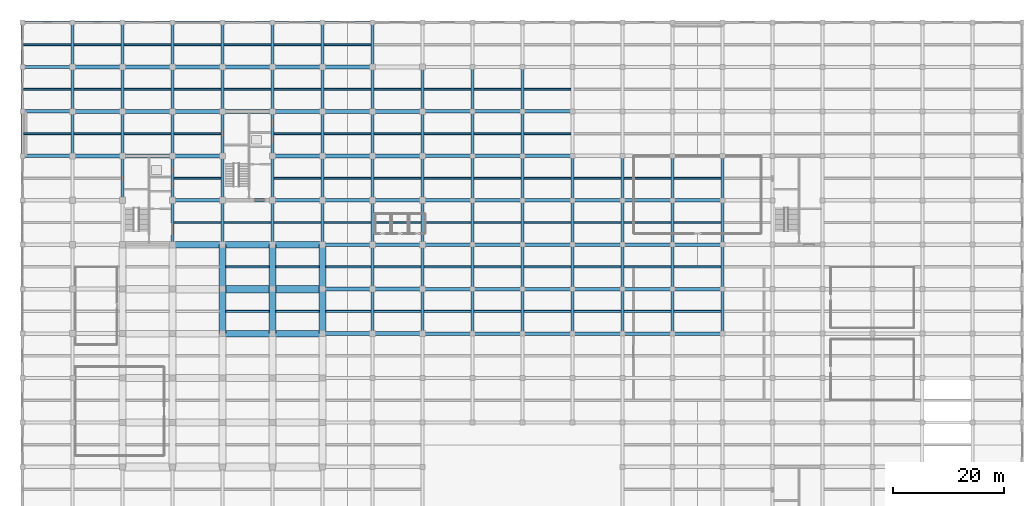
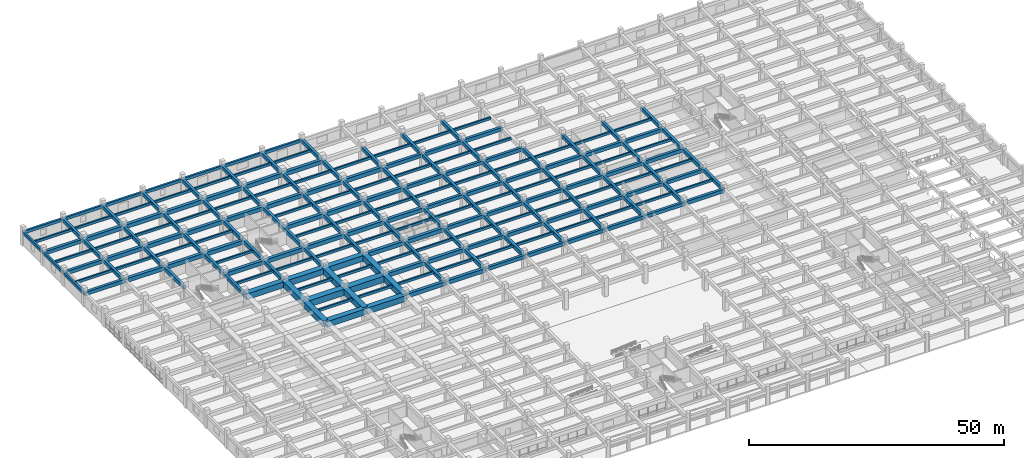
# One storey, part 12 of 40: 223 beams.
"""IFC4 building model written with IfcOpenShell, lengths in metres."""

from ifc_helpers import new_model, si_unit, direction, frame, origin, origin_2d, place, context, subcontext, project, spatial, rectangle, extrude, material, material_profile, profile_set, type_object, element, save


model = new_model("IFC4")

# Units and contexts
model_context = context("Model", 3, precision=1e-05, world=origin(), true_north=direction((0.0, 1.0)))
body_context = subcontext(model_context, "Body", "Model", "MODEL_VIEW")
ifc_project = project(units=[si_unit("LENGTHUNIT", "METRE"), si_unit("AREAUNIT", "SQUARE_METRE"), si_unit("VOLUMEUNIT", "CUBIC_METRE"), si_unit("PLANEANGLEUNIT", "RADIAN"), si_unit("MASSUNIT", "GRAM", prefix="KILO")], contexts=[model_context])

# Site, building, storey
site_placement = place(None, origin())
site = spatial("IfcSite", under=ifc_project, at=site_placement, CompositionType="ELEMENT")
building_placement = place(site_placement, origin())
building = spatial("IfcBuilding", under=site, at=building_placement, Name="Zaverband Oceanarium and Marine Research Institute", CompositionType="ELEMENT")
storey_placement = place(building_placement, origin())
storey = spatial("IfcBuildingStorey", under=building, at=storey_placement, Name="L00", CompositionType="ELEMENT", Elevation=0.0)

# Beams
ifc_material_1 = material(Name="Concrete C40/50", Category="concrete")
ifc_material_profile_1 = material_profile(ifc_material_1, rectangle(XDim=0.60009765625, YDim=0.85009765625, at=origin_2d()), Name="RC600x850")
ifc_profile_set_1 = profile_set([ifc_material_profile_1], Name="Concrete C40/50")
beam_type_1 = type_object("IfcBeamType", Name="BM-600x850", PredefinedType="BEAM", material=ifc_profile_set_1)
for number, where, z_axis, x_axis, name in (
    (1, (72.0, 64.0, 2.875), (1.0, 0.0, 0.0), (0.0, 1.0, 0.0), "Primary floor girder BM-600x850"),
    (2, (81.0, 64.0, 2.875), (1.0, 0.0, 0.0), (0.0, 1.0, 0.0), "Primary floor girder BM-600x850"),
    (3, (90.0, 64.0, 2.875), (1.0, 0.0, 0.0), (0.0, 1.0, 0.0), "Primary floor girder BM-600x850"),
    (4, (99.0, 64.0, 2.875), (1.0, 0.0, 0.0), (0.0, 1.0, 0.0), "Primary floor girder BM-600x850"),
    (5, (108.0, 64.0, 2.875), (1.0, 0.0, 0.0), (0.0, 1.0, 0.0), "Primary floor girder BM-600x850"),
    (6, (117.0, 64.0, 2.875), (1.0, 0.0, 0.0), (0.0, 1.0, 0.0), "Primary floor girder BM-600x850"),
    (7, (72.0, 72.0, 2.875), (1.0, 0.0, 0.0), (0.0, 1.0, 0.0), "Primary floor girder BM-600x850"),
    (8, (81.0, 72.0, 2.875), (1.0, 0.0, 0.0), (0.0, 1.0, 0.0), "Primary floor girder BM-600x850"),
    (9, (90.0, 72.0, 2.875), (1.0, 0.0, 0.0), (0.0, 1.0, 0.0), "Primary floor girder BM-600x850"),
    (10, (99.0, 72.0, 2.875), (1.0, 0.0, 0.0), (0.0, 1.0, 0.0), "Primary floor girder BM-600x850"),
    (11, (108.0, 72.0, 2.875), (1.0, 0.0, 0.0), (0.0, 1.0, 0.0), "Primary floor girder BM-600x850"),
    (12, (117.0, 72.0, 2.875), (1.0, 0.0, 0.0), (0.0, 1.0, 0.0), "Primary floor girder BM-600x850"),
    (13, (72.0, 80.0, 2.875), (1.0, 0.0, 0.0), (0.0, 1.0, 0.0), "Primary floor girder BM-600x850"),
    (14, (81.0, 80.0, 2.875), (1.0, 0.0, 0.0), (0.0, 1.0, 0.0), "Primary floor girder BM-600x850"),
    (15, (90.0, 80.0, 2.875), (1.0, 0.0, 0.0), (0.0, 1.0, 0.0), "Primary floor girder BM-600x850"),
    (16, (99.0, 80.0, 2.875), (1.0, 0.0, 0.0), (0.0, 1.0, 0.0), "Primary floor girder BM-600x850"),
    (17, (108.0, 80.0, 2.875), (1.0, 0.0, 0.0), (0.0, 1.0, 0.0), "Primary floor girder BM-600x850"),
    (18, (117.0, 80.0, 2.875), (1.0, 0.0, 0.0), (0.0, 1.0, 0.0), "Primary floor girder BM-600x850"),
    (19, (72.0, 88.0, 2.875), (1.0, 0.0, 0.0), (0.0, 1.0, 0.0), "Primary floor girder BM-600x850"),
    (20, (81.0, 88.0, 2.875), (1.0, 0.0, 0.0), (0.0, 1.0, 0.0), "Primary floor girder BM-600x850"),
    (21, (90.0, 88.0, 2.875), (1.0, 0.0, 0.0), (0.0, 1.0, 0.0), "Primary floor girder BM-600x850"),
    (22, (99.0, 88.0, 2.875), (1.0, 0.0, 0.0), (0.0, 1.0, 0.0), "Primary floor girder BM-600x850"),
    (23, (108.0, 88.0, 2.875), (1.0, 0.0, 0.0), (0.0, 1.0, 0.0), "Primary floor girder BM-600x850"),
    (24, (117.0, 88.0, 2.875), (1.0, 0.0, 0.0), (0.0, 1.0, 0.0), "Primary floor girder BM-600x850"),
    (25, (0.0, 96.0, 2.875), (1.0, 0.0, 0.0), (0.0, 1.0, 0.0), "Primary floor girder BM-600x850"),
    (26, (72.0, 96.0, 2.875), (1.0, 0.0, 0.0), (0.0, 1.0, 0.0), "Primary floor girder BM-600x850"),
    (27, (81.0, 96.0, 2.875), (1.0, 0.0, 0.0), (0.0, 1.0, 0.0), "Primary floor girder BM-600x850"),
    (28, (90.0, 96.0, 2.875), (1.0, 0.0, 0.0), (0.0, 1.0, 0.0), "Primary floor girder BM-600x850"),
    (29, (0.0, 104.0, 2.875), (1.0, 0.0, 0.0), (0.0, 1.0, 0.0), "Primary floor girder BM-600x850"),
    (30, (72.0, 104.0, 2.875), (1.0, 0.0, 0.0), (0.0, 1.0, 0.0), "Primary floor girder BM-600x850"),
    (31, (81.0, 104.0, 2.875), (1.0, 0.0, 0.0), (0.0, 1.0, 0.0), "Primary floor girder BM-600x850"),
    (32, (90.0, 104.0, 2.875), (1.0, 0.0, 0.0), (0.0, 1.0, 0.0), "Primary floor girder BM-600x850"),
    (33, (0.0, 112.0, 2.875), (1.0, 0.0, 0.0), (0.0, 1.0, 0.0), "Primary floor girder BM-600x850"),
):
    element("IfcBeam", number, at=place(storey_placement, frame(where, z_axis=z_axis, x_axis=x_axis)), inside=storey, type_object=beam_type_1, Name=name, PredefinedType="BEAM", context=body_context, shape_type="SweptSolid", body=[
        extrude(rectangle(XDim=0.60009765625, YDim=0.85009765625, at=origin_2d()), origin(), (0.0, 0.0, 1.0), 9.0),
    ])
for number, where, z_axis, x_axis, name in (
    (34, (9.0, 96.0, 2.875), (0.0, 1.0, 0.0), (-1.0, 0.0, 0.0), "Primary floor girder BM-600x850"),
    (35, (9.0, 104.0, 2.875), (0.0, 1.0, 0.0), (-1.0, 0.0, 0.0), "Primary floor girder BM-600x850"),
    (36, (9.0, 112.0, 2.875), (0.0, 1.0, 0.0), (-1.0, 0.0, 0.0), "Primary floor girder BM-600x850"),
    (37, (18.0, 88.0, 2.875), (0.0, 1.0, 0.0), (-1.0, 0.0, 0.0), "Primary floor girder BM-600x850"),
    (38, (18.0, 96.0, 2.875), (0.0, 1.0, 0.0), (-1.0, 0.0, 0.0), "Primary floor girder BM-600x850"),
    (39, (18.0, 104.0, 2.875), (0.0, 1.0, 0.0), (-1.0, 0.0, 0.0), "Primary floor girder BM-600x850"),
    (40, (18.0, 112.0, 2.875), (0.0, 1.0, 0.0), (-1.0, 0.0, 0.0), "Primary floor girder BM-600x850"),
    (41, (27.0, 80.0, 2.875), (0.0, 1.0, 0.0), (-1.0, 0.0, 0.0), "Primary floor girder BM-600x850"),
    (42, (27.0, 88.0, 2.875), (0.0, 1.0, 0.0), (-1.0, 0.0, 0.0), "Primary floor girder BM-600x850"),
    (43, (27.0, 96.0, 2.875), (0.0, 1.0, 0.0), (-1.0, 0.0, 0.0), "Primary floor girder BM-600x850"),
    (44, (27.0, 104.0, 2.875), (0.0, 1.0, 0.0), (-1.0, 0.0, 0.0), "Primary floor girder BM-600x850"),
    (45, (27.0, 112.0, 2.875), (0.0, 1.0, 0.0), (-1.0, 0.0, 0.0), "Primary floor girder BM-600x850"),
    (46, (36.0, 80.0, 2.875), (0.0, 1.0, 0.0), (-1.0, 0.0, 0.0), "Primary floor girder BM-600x850"),
    (47, (36.0, 88.0, 2.875), (0.0, 1.0, 0.0), (-1.0, 0.0, 0.0), "Primary floor girder BM-600x850"),
    (48, (36.0, 96.0, 2.875), (0.0, 1.0, 0.0), (-1.0, 0.0, 0.0), "Primary floor girder BM-600x850"),
    (49, (36.0, 104.0, 2.875), (0.0, 1.0, 0.0), (-1.0, 0.0, 0.0), "Primary floor girder BM-600x850"),
    (50, (36.0, 112.0, 2.875), (0.0, 1.0, 0.0), (-1.0, 0.0, 0.0), "Primary floor girder BM-600x850"),
    (51, (45.0, 80.0, 2.875), (0.0, 1.0, 0.0), (-1.0, 0.0, 0.0), "Primary floor girder BM-600x850"),
    (52, (45.0, 88.0, 2.875), (0.0, 1.0, 0.0), (-1.0, 0.0, 0.0), "Primary floor girder BM-600x850"),
    (53, (45.0, 96.0, 2.875), (0.0, 1.0, 0.0), (-1.0, 0.0, 0.0), "Primary floor girder BM-600x850"),
    (54, (45.0, 104.0, 2.875), (0.0, 1.0, 0.0), (-1.0, 0.0, 0.0), "Primary floor girder BM-600x850"),
    (55, (45.0, 112.0, 2.875), (0.0, 1.0, 0.0), (-1.0, 0.0, 0.0), "Primary floor girder BM-600x850"),
    (56, (54.0, 80.0, 2.875), (0.0, 1.0, 0.0), (-1.0, 0.0, 0.0), "Primary floor girder BM-600x850"),
    (57, (54.0, 88.0, 2.875), (0.0, 1.0, 0.0), (-1.0, 0.0, 0.0), "Primary floor girder BM-600x850"),
    (58, (54.0, 96.0, 2.875), (0.0, 1.0, 0.0), (-1.0, 0.0, 0.0), "Primary floor girder BM-600x850"),
    (59, (54.0, 104.0, 2.875), (0.0, 1.0, 0.0), (-1.0, 0.0, 0.0), "Primary floor girder BM-600x850"),
    (60, (54.0, 112.0, 2.875), (0.0, 1.0, 0.0), (-1.0, 0.0, 0.0), "Primary floor girder BM-600x850"),
    (61, (63.0, 64.0, 2.875), (0.0, 1.0, 0.0), (-1.0, 0.0, 0.0), "Primary floor girder BM-600x850"),
    (62, (63.0, 72.0, 2.875), (0.0, 1.0, 0.0), (-1.0, 0.0, 0.0), "Primary floor girder BM-600x850"),
    (63, (63.0, 80.0, 2.875), (0.0, 1.0, 0.0), (-1.0, 0.0, 0.0), "Primary floor girder BM-600x850"),
    (64, (63.0, 88.0, 2.875), (0.0, 1.0, 0.0), (-1.0, 0.0, 0.0), "Primary floor girder BM-600x850"),
    (65, (63.0, 96.0, 2.875), (0.0, 1.0, 0.0), (-1.0, 0.0, 0.0), "Primary floor girder BM-600x850"),
    (66, (63.0, 104.0, 2.875), (0.0, 1.0, 0.0), (-1.0, 0.0, 0.0), "Primary floor girder BM-600x850"),
    (67, (63.0, 112.0, 2.875), (0.0, 1.0, 0.0), (-1.0, 0.0, 0.0), "Primary floor girder BM-600x850"),
    (68, (72.0, 64.0, 2.875), (0.0, 1.0, 0.0), (-1.0, 0.0, 0.0), "Primary floor girder BM-600x850"),
    (69, (72.0, 72.0, 2.875), (0.0, 1.0, 0.0), (-1.0, 0.0, 0.0), "Primary floor girder BM-600x850"),
    (70, (72.0, 80.0, 2.875), (0.0, 1.0, 0.0), (-1.0, 0.0, 0.0), "Primary floor girder BM-600x850"),
    (71, (72.0, 88.0, 2.875), (0.0, 1.0, 0.0), (-1.0, 0.0, 0.0), "Primary floor girder BM-600x850"),
    (72, (72.0, 96.0, 2.875), (0.0, 1.0, 0.0), (-1.0, 0.0, 0.0), "Primary floor girder BM-600x850"),
    (73, (72.0, 104.0, 2.875), (0.0, 1.0, 0.0), (-1.0, 0.0, 0.0), "Primary floor girder BM-600x850"),
    (74, (81.0, 64.0, 2.875), (0.0, 1.0, 0.0), (-1.0, 0.0, 0.0), "Primary floor girder BM-600x850"),
    (75, (81.0, 72.0, 2.875), (0.0, 1.0, 0.0), (-1.0, 0.0, 0.0), "Primary floor girder BM-600x850"),
    (76, (81.0, 80.0, 2.875), (0.0, 1.0, 0.0), (-1.0, 0.0, 0.0), "Primary floor girder BM-600x850"),
    (77, (81.0, 88.0, 2.875), (0.0, 1.0, 0.0), (-1.0, 0.0, 0.0), "Primary floor girder BM-600x850"),
    (78, (81.0, 96.0, 2.875), (0.0, 1.0, 0.0), (-1.0, 0.0, 0.0), "Primary floor girder BM-600x850"),
    (79, (81.0, 104.0, 2.875), (0.0, 1.0, 0.0), (-1.0, 0.0, 0.0), "Primary floor girder BM-600x850"),
    (80, (90.0, 64.0, 2.875), (0.0, 1.0, 0.0), (-1.0, 0.0, 0.0), "Primary floor girder BM-600x850"),
    (81, (90.0, 72.0, 2.875), (0.0, 1.0, 0.0), (-1.0, 0.0, 0.0), "Primary floor girder BM-600x850"),
    (82, (90.0, 80.0, 2.875), (0.0, 1.0, 0.0), (-1.0, 0.0, 0.0), "Primary floor girder BM-600x850"),
    (83, (90.0, 88.0, 2.875), (0.0, 1.0, 0.0), (-1.0, 0.0, 0.0), "Primary floor girder BM-600x850"),
    (84, (90.0, 96.0, 2.875), (0.0, 1.0, 0.0), (-1.0, 0.0, 0.0), "Primary floor girder BM-600x850"),
    (85, (90.0, 104.0, 2.875), (0.0, 1.0, 0.0), (-1.0, 0.0, 0.0), "Primary floor girder BM-600x850"),
    (86, (99.0, 64.0, 2.875), (0.0, 1.0, 0.0), (-1.0, 0.0, 0.0), "Primary floor girder BM-600x850"),
    (87, (99.0, 72.0, 2.875), (0.0, 1.0, 0.0), (-1.0, 0.0, 0.0), "Primary floor girder BM-600x850"),
    (88, (99.0, 80.0, 2.875), (0.0, 1.0, 0.0), (-1.0, 0.0, 0.0), "Primary floor girder BM-600x850"),
    (89, (99.0, 88.0, 2.875), (0.0, 1.0, 0.0), (-1.0, 0.0, 0.0), "Primary floor girder BM-600x850"),
    (90, (108.0, 64.0, 2.875), (0.0, 1.0, 0.0), (-1.0, 0.0, 0.0), "Primary floor girder BM-600x850"),
    (91, (108.0, 72.0, 2.875), (0.0, 1.0, 0.0), (-1.0, 0.0, 0.0), "Primary floor girder BM-600x850"),
    (92, (108.0, 80.0, 2.875), (0.0, 1.0, 0.0), (-1.0, 0.0, 0.0), "Primary floor girder BM-600x850"),
    (93, (108.0, 88.0, 2.875), (0.0, 1.0, 0.0), (-1.0, 0.0, 0.0), "Primary floor girder BM-600x850"),
    (94, (117.0, 64.0, 2.875), (0.0, 1.0, 0.0), (-1.0, 0.0, 0.0), "Primary floor girder BM-600x850"),
    (95, (117.0, 72.0, 2.875), (0.0, 1.0, 0.0), (-1.0, 0.0, 0.0), "Primary floor girder BM-600x850"),
    (96, (117.0, 80.0, 2.875), (0.0, 1.0, 0.0), (-1.0, 0.0, 0.0), "Primary floor girder BM-600x850"),
    (97, (117.0, 88.0, 2.875), (0.0, 1.0, 0.0), (-1.0, 0.0, 0.0), "Primary floor girder BM-600x850"),
    (98, (126.0, 64.0, 3.02490234375), (0.0, 1.0, 0.0), (-1.0, 0.0, 0.0), "Primary floor girder BM-600x850"),
    (99, (126.0, 72.0, 3.02490234375), (0.0, 1.0, 0.0), (-1.0, 0.0, 0.0), "Primary floor girder BM-600x850"),
    (100, (126.0, 80.0, 3.02490234375), (0.0, 1.0, 0.0), (-1.0, 0.0, 0.0), "Primary floor girder BM-600x850"),
    (101, (126.0, 88.0, 3.02490234375), (0.0, 1.0, 0.0), (-1.0, 0.0, 0.0), "Primary floor girder BM-600x850"),
):
    element("IfcBeam", number, at=place(storey_placement, frame(where, z_axis=z_axis, x_axis=x_axis)), inside=storey, type_object=beam_type_1, Name=name, PredefinedType="BEAM", context=body_context, shape_type="SweptSolid", body=[
        extrude(rectangle(XDim=0.60009765625, YDim=0.85009765625, at=origin_2d()), origin(), (0.0, 0.0, 1.0), 8.0),
    ])
ifc_material_2 = material(Name="Concrete C50/60", Category="concrete")
ifc_material_profile_2 = material_profile(ifc_material_2, rectangle(XDim=0.699951171875, YDim=0.949951171875, at=origin_2d()), Name="RC700x950")
ifc_profile_set_2 = profile_set([ifc_material_profile_2], Name="Concrete C50/60")
beam_type_2 = type_object("IfcBeamType", Name="BM-700x950", PredefinedType="BEAM", material=ifc_profile_set_2)
for number, where, z_axis, x_axis, name in (
    (102, (54.0, 64.0, 2.824951171875), (1.0, 0.0, 0.0), (0.0, 1.0, 0.0), "Primary floor girder BM-700x950"),
    (103, (63.0, 64.0, 2.824951171875), (1.0, 0.0, 0.0), (0.0, 1.0, 0.0), "Primary floor girder BM-700x950"),
    (104, (54.0, 72.0, 2.824951171875), (1.0, 0.0, 0.0), (0.0, 1.0, 0.0), "Primary floor girder BM-700x950"),
    (105, (63.0, 72.0, 2.824951171875), (1.0, 0.0, 0.0), (0.0, 1.0, 0.0), "Primary floor girder BM-700x950"),
    (106, (54.0, 80.0, 2.824951171875), (1.0, 0.0, 0.0), (0.0, 1.0, 0.0), "Primary floor girder BM-700x950"),
    (107, (63.0, 80.0, 2.824951171875), (1.0, 0.0, 0.0), (0.0, 1.0, 0.0), "Primary floor girder BM-700x950"),
    (108, (27.0, 88.0, 2.824951171875), (1.0, 0.0, 0.0), (0.0, 1.0, 0.0), "Primary floor girder BM-700x950"),
    (109, (36.0, 88.0, 2.824951171875), (1.0, 0.0, 0.0), (0.0, 1.0, 0.0), "Primary floor girder BM-700x950"),
    (110, (45.0, 88.0, 2.824951171875), (1.0, 0.0, 0.0), (0.0, 1.0, 0.0), "Primary floor girder BM-700x950"),
    (111, (54.0, 88.0, 2.824951171875), (1.0, 0.0, 0.0), (0.0, 1.0, 0.0), "Primary floor girder BM-700x950"),
    (112, (63.0, 88.0, 2.824951171875), (1.0, 0.0, 0.0), (0.0, 1.0, 0.0), "Primary floor girder BM-700x950"),
    (113, (9.0, 96.0, 2.824951171875), (1.0, 0.0, 0.0), (0.0, 1.0, 0.0), "Primary floor girder BM-700x950"),
    (114, (18.0, 96.0, 2.824951171875), (1.0, 0.0, 0.0), (0.0, 1.0, 0.0), "Primary floor girder BM-700x950"),
    (115, (27.0, 96.0, 2.824951171875), (1.0, 0.0, 0.0), (0.0, 1.0, 0.0), "Primary floor girder BM-700x950"),
    (116, (45.0, 96.0, 2.824951171875), (1.0, 0.0, 0.0), (0.0, 1.0, 0.0), "Primary floor girder BM-700x950"),
    (117, (54.0, 96.0, 2.824951171875), (1.0, 0.0, 0.0), (0.0, 1.0, 0.0), "Primary floor girder BM-700x950"),
    (118, (63.0, 96.0, 2.824951171875), (1.0, 0.0, 0.0), (0.0, 1.0, 0.0), "Primary floor girder BM-700x950"),
    (119, (9.0, 104.0, 2.824951171875), (1.0, 0.0, 0.0), (0.0, 1.0, 0.0), "Primary floor girder BM-700x950"),
    (120, (18.0, 104.0, 2.824951171875), (1.0, 0.0, 0.0), (0.0, 1.0, 0.0), "Primary floor girder BM-700x950"),
    (121, (27.0, 104.0, 2.824951171875), (1.0, 0.0, 0.0), (0.0, 1.0, 0.0), "Primary floor girder BM-700x950"),
    (122, (36.0, 104.0, 2.824951171875), (1.0, 0.0, 0.0), (0.0, 1.0, 0.0), "Primary floor girder BM-700x950"),
    (123, (45.0, 104.0, 2.824951171875), (1.0, 0.0, 0.0), (0.0, 1.0, 0.0), "Primary floor girder BM-700x950"),
    (124, (54.0, 104.0, 2.824951171875), (1.0, 0.0, 0.0), (0.0, 1.0, 0.0), "Primary floor girder BM-700x950"),
    (125, (63.0, 104.0, 2.824951171875), (1.0, 0.0, 0.0), (0.0, 1.0, 0.0), "Primary floor girder BM-700x950"),
    (126, (9.0, 112.0, 2.824951171875), (1.0, 0.0, 0.0), (0.0, 1.0, 0.0), "Primary floor girder BM-700x950"),
    (127, (18.0, 112.0, 2.824951171875), (1.0, 0.0, 0.0), (0.0, 1.0, 0.0), "Primary floor girder BM-700x950"),
    (128, (27.0, 112.0, 2.824951171875), (1.0, 0.0, 0.0), (0.0, 1.0, 0.0), "Primary floor girder BM-700x950"),
    (129, (36.0, 112.0, 2.824951171875), (1.0, 0.0, 0.0), (0.0, 1.0, 0.0), "Primary floor girder BM-700x950"),
    (130, (45.0, 112.0, 2.824951171875), (1.0, 0.0, 0.0), (0.0, 1.0, 0.0), "Primary floor girder BM-700x950"),
    (131, (54.0, 112.0, 2.824951171875), (1.0, 0.0, 0.0), (0.0, 1.0, 0.0), "Primary floor girder BM-700x950"),
):
    element("IfcBeam", number, at=place(storey_placement, frame(where, z_axis=z_axis, x_axis=x_axis)), inside=storey, type_object=beam_type_2, Name=name, PredefinedType="BEAM", context=body_context, shape_type="SweptSolid", body=[
        extrude(rectangle(XDim=0.699951171875, YDim=0.949951171875, at=origin_2d()), origin(), (0.0, 0.0, 1.0), 9.0),
    ])
ifc_material_profile_3 = material_profile(ifc_material_1, rectangle(XDim=0.35009765625, YDim=0.60009765625, at=origin_2d()), Name="RC350x600")
ifc_profile_set_3 = profile_set([ifc_material_profile_3], Name="Concrete C40/50")
beam_type_3 = type_object("IfcBeamType", Name="JST-350x600", PredefinedType="JOIST", material=ifc_profile_set_3)
for number, where, z_axis, x_axis, name in (
    (132, (0.22509765625, 100.0, 3.0), (1.0, 0.0, 0.0), (0.0, 1.0, 0.0), "Secondary floor joist JST-350x600"),
    (133, (0.22509765625, 108.0, 3.0), (1.0, 0.0, 0.0), (0.0, 1.0, 0.0), "Secondary floor joist JST-350x600"),
    (134, (0.22509765625, 116.0, 3.0), (1.0, 0.0, 0.0), (0.0, 1.0, 0.0), "Secondary floor joist JST-350x600"),
):
    element("IfcBeam", number, at=place(storey_placement, frame(where, z_axis=z_axis, x_axis=x_axis)), inside=storey, type_object=beam_type_3, Name=name, PredefinedType="JOIST", context=body_context, shape_type="SweptSolid", body=[
        extrude(rectangle(XDim=0.35009765625, YDim=0.60009765625, at=origin_2d()), origin(), (0.0, 0.0, 1.0), 8.474853515625),
    ])
for number, where, z_axis, x_axis, name in (
    (135, (9.300048828125, 100.0, 3.0), (1.0, 0.0, 0.0), (0.0, 1.0, 0.0), "Secondary floor joist JST-350x600"),
    (136, (9.300048828125, 108.0, 3.0), (1.0, 0.0, 0.0), (0.0, 1.0, 0.0), "Secondary floor joist JST-350x600"),
    (137, (9.300048828125, 116.0, 3.0), (1.0, 0.0, 0.0), (0.0, 1.0, 0.0), "Secondary floor joist JST-350x600"),
    (138, (18.300048828125, 100.0, 3.0), (1.0, 0.0, 0.0), (0.0, 1.0, 0.0), "Secondary floor joist JST-350x600"),
    (139, (18.300048828125, 108.0, 3.0), (1.0, 0.0, 0.0), (0.0, 1.0, 0.0), "Secondary floor joist JST-350x600"),
    (140, (18.300048828125, 116.0, 3.0), (1.0, 0.0, 0.0), (0.0, 1.0, 0.0), "Secondary floor joist JST-350x600"),
    (141, (27.300048828125, 84.0, 3.0), (1.0, 0.0, 0.0), (0.0, 1.0, 0.0), "Secondary floor joist JST-350x600"),
    (142, (27.300048828125, 92.0, 3.0), (1.0, 0.0, 0.0), (0.0, 1.0, 0.0), "Secondary floor joist JST-350x600"),
    (143, (27.300048828125, 100.0, 3.0), (1.0, 0.0, 0.0), (0.0, 1.0, 0.0), "Secondary floor joist JST-350x600"),
    (144, (27.300048828125, 108.0, 3.0), (1.0, 0.0, 0.0), (0.0, 1.0, 0.0), "Secondary floor joist JST-350x600"),
    (145, (27.300048828125, 116.0, 3.0), (1.0, 0.0, 0.0), (0.0, 1.0, 0.0), "Secondary floor joist JST-350x600"),
):
    element("IfcBeam", number, at=place(storey_placement, frame(where, z_axis=z_axis, x_axis=x_axis)), inside=storey, type_object=beam_type_3, Name=name, PredefinedType="JOIST", context=body_context, shape_type="SweptSolid", body=[
        extrude(rectangle(XDim=0.35009765625, YDim=0.60009765625, at=origin_2d()), origin(), (0.0, 0.0, 1.0), 8.39990234375),
    ])
for number, where, z_axis, x_axis, name in (
    (146, (36.60009765625, 68.0, 3.0), (1.0, 0.0, 0.0), (0.0, 1.0, 0.0), "Secondary floor joist JST-350x600"),
    (147, (36.60009765625, 76.0, 3.0), (1.0, 0.0, 0.0), (0.0, 1.0, 0.0), "Secondary floor joist JST-350x600"),
):
    element("IfcBeam", number, at=place(storey_placement, frame(where, z_axis=z_axis, x_axis=x_axis)), inside=storey, type_object=beam_type_3, Name=name, PredefinedType="JOIST", context=body_context, shape_type="SweptSolid", body=[
        extrude(rectangle(XDim=0.35009765625, YDim=0.60009765625, at=origin_2d()), origin(), (0.0, 0.0, 1.0), 7.7998046875),
    ])
for number, where, z_axis, x_axis, name in (
    (148, (36.300048828125, 84.0, 3.0), (1.0, 0.0, 0.0), (0.0, 1.0, 0.0), "Secondary floor joist JST-350x600"),
    (149, (36.300048828125, 108.0, 3.0), (1.0, 0.0, 0.0), (0.0, 1.0, 0.0), "Secondary floor joist JST-350x600"),
    (150, (36.300048828125, 116.0, 3.0), (1.0, 0.0, 0.0), (0.0, 1.0, 0.0), "Secondary floor joist JST-350x600"),
):
    element("IfcBeam", number, at=place(storey_placement, frame(where, z_axis=z_axis, x_axis=x_axis)), inside=storey, type_object=beam_type_3, Name=name, PredefinedType="JOIST", context=body_context, shape_type="SweptSolid", body=[
        extrude(rectangle(XDim=0.35009765625, YDim=0.60009765625, at=origin_2d()), origin(), (0.0, 0.0, 1.0), 8.39990234375),
    ])
for number, where, z_axis, x_axis, name in (
    (151, (45.60009765625, 68.0, 3.0), (1.0, 0.0, 0.0), (0.0, 1.0, 0.0), "Secondary floor joist JST-350x600"),
    (152, (45.60009765625, 76.0, 3.0), (1.0, 0.0, 0.0), (0.0, 1.0, 0.0), "Secondary floor joist JST-350x600"),
):
    element("IfcBeam", number, at=place(storey_placement, frame(where, z_axis=z_axis, x_axis=x_axis)), inside=storey, type_object=beam_type_3, Name=name, PredefinedType="JOIST", context=body_context, shape_type="SweptSolid", body=[
        extrude(rectangle(XDim=0.35009765625, YDim=0.60009765625, at=origin_2d()), origin(), (0.0, 0.0, 1.0), 7.7998046875),
    ])
for number, where, z_axis, x_axis, name in (
    (153, (45.300048828125, 84.0, 3.0), (1.0, 0.0, 0.0), (0.0, 1.0, 0.0), "Secondary floor joist JST-350x600"),
    (154, (45.300048828125, 92.0, 3.0), (1.0, 0.0, 0.0), (0.0, 1.0, 0.0), "Secondary floor joist JST-350x600"),
    (155, (45.300048828125, 100.0, 3.0), (1.0, 0.0, 0.0), (0.0, 1.0, 0.0), "Secondary floor joist JST-350x600"),
    (156, (45.300048828125, 108.0, 3.0), (1.0, 0.0, 0.0), (0.0, 1.0, 0.0), "Secondary floor joist JST-350x600"),
    (157, (45.300048828125, 116.0, 3.0), (1.0, 0.0, 0.0), (0.0, 1.0, 0.0), "Secondary floor joist JST-350x600"),
):
    element("IfcBeam", number, at=place(storey_placement, frame(where, z_axis=z_axis, x_axis=x_axis)), inside=storey, type_object=beam_type_3, Name=name, PredefinedType="JOIST", context=body_context, shape_type="SweptSolid", body=[
        extrude(rectangle(XDim=0.35009765625, YDim=0.60009765625, at=origin_2d()), origin(), (0.0, 0.0, 1.0), 8.39990234375),
    ])
for number, where, z_axis, x_axis, name in (
    (158, (54.60009765625, 68.0, 3.0), (1.0, 0.0, 0.0), (0.0, 1.0, 0.0), "Secondary floor joist JST-350x600"),
    (159, (54.60009765625, 76.0, 3.0), (1.0, 0.0, 0.0), (0.0, 1.0, 0.0), "Secondary floor joist JST-350x600"),
):
    element("IfcBeam", number, at=place(storey_placement, frame(where, z_axis=z_axis, x_axis=x_axis)), inside=storey, type_object=beam_type_3, Name=name, PredefinedType="JOIST", context=body_context, shape_type="SweptSolid", body=[
        extrude(rectangle(XDim=0.35009765625, YDim=0.60009765625, at=origin_2d()), origin(), (0.0, 0.0, 1.0), 8.099853515625),
    ])
for number, where, z_axis, x_axis, name in (
    (160, (54.300048828125, 84.0, 3.0), (1.0, 0.0, 0.0), (0.0, 1.0, 0.0), "Secondary floor joist JST-350x600"),
    (161, (54.300048828125, 92.0, 3.0), (1.0, 0.0, 0.0), (0.0, 1.0, 0.0), "Secondary floor joist JST-350x600"),
    (162, (54.300048828125, 100.0, 3.0), (1.0, 0.0, 0.0), (0.0, 1.0, 0.0), "Secondary floor joist JST-350x600"),
    (163, (54.300048828125, 108.0, 3.0), (1.0, 0.0, 0.0), (0.0, 1.0, 0.0), "Secondary floor joist JST-350x600"),
    (164, (54.300048828125, 116.0, 3.0), (1.0, 0.0, 0.0), (0.0, 1.0, 0.0), "Secondary floor joist JST-350x600"),
    (165, (63.300048828125, 68.0, 3.0), (1.0, 0.0, 0.0), (0.0, 1.0, 0.0), "Secondary floor joist JST-350x600"),
    (166, (63.300048828125, 76.0, 3.0), (1.0, 0.0, 0.0), (0.0, 1.0, 0.0), "Secondary floor joist JST-350x600"),
    (167, (63.300048828125, 84.0, 3.0), (1.0, 0.0, 0.0), (0.0, 1.0, 0.0), "Secondary floor joist JST-350x600"),
    (168, (63.300048828125, 92.0, 3.0), (1.0, 0.0, 0.0), (0.0, 1.0, 0.0), "Secondary floor joist JST-350x600"),
    (169, (63.300048828125, 100.0, 3.0), (1.0, 0.0, 0.0), (0.0, 1.0, 0.0), "Secondary floor joist JST-350x600"),
    (170, (63.300048828125, 108.0, 3.0), (1.0, 0.0, 0.0), (0.0, 1.0, 0.0), "Secondary floor joist JST-350x600"),
    (171, (72.300048828125, 68.0, 3.0), (1.0, 0.0, 0.0), (0.0, 1.0, 0.0), "Secondary floor joist JST-350x600"),
    (172, (72.300048828125, 76.0, 3.0), (1.0, 0.0, 0.0), (0.0, 1.0, 0.0), "Secondary floor joist JST-350x600"),
    (173, (72.300048828125, 84.0, 3.0), (1.0, 0.0, 0.0), (0.0, 1.0, 0.0), "Secondary floor joist JST-350x600"),
    (174, (72.300048828125, 92.0, 3.0), (1.0, 0.0, 0.0), (0.0, 1.0, 0.0), "Secondary floor joist JST-350x600"),
    (175, (72.300048828125, 100.0, 3.0), (1.0, 0.0, 0.0), (0.0, 1.0, 0.0), "Secondary floor joist JST-350x600"),
    (176, (72.300048828125, 108.0, 3.0), (1.0, 0.0, 0.0), (0.0, 1.0, 0.0), "Secondary floor joist JST-350x600"),
    (177, (81.300048828125, 68.0, 3.0), (1.0, 0.0, 0.0), (0.0, 1.0, 0.0), "Secondary floor joist JST-350x600"),
    (178, (81.300048828125, 76.0, 3.0), (1.0, 0.0, 0.0), (0.0, 1.0, 0.0), "Secondary floor joist JST-350x600"),
    (179, (81.300048828125, 84.0, 3.0), (1.0, 0.0, 0.0), (0.0, 1.0, 0.0), "Secondary floor joist JST-350x600"),
    (180, (81.300048828125, 92.0, 3.0), (1.0, 0.0, 0.0), (0.0, 1.0, 0.0), "Secondary floor joist JST-350x600"),
    (181, (81.300048828125, 100.0, 3.0), (1.0, 0.0, 0.0), (0.0, 1.0, 0.0), "Secondary floor joist JST-350x600"),
    (182, (81.300048828125, 108.0, 3.0), (1.0, 0.0, 0.0), (0.0, 1.0, 0.0), "Secondary floor joist JST-350x600"),
    (183, (90.300048828125, 68.0, 3.0), (1.0, 0.0, 0.0), (0.0, 1.0, 0.0), "Secondary floor joist JST-350x600"),
    (184, (90.300048828125, 76.0, 3.0), (1.0, 0.0, 0.0), (0.0, 1.0, 0.0), "Secondary floor joist JST-350x600"),
    (185, (90.300048828125, 84.0, 3.0), (1.0, 0.0, 0.0), (0.0, 1.0, 0.0), "Secondary floor joist JST-350x600"),
    (186, (90.300048828125, 92.0, 3.0), (1.0, 0.0, 0.0), (0.0, 1.0, 0.0), "Secondary floor joist JST-350x600"),
    (187, (90.300048828125, 100.0, 3.0), (1.0, 0.0, 0.0), (0.0, 1.0, 0.0), "Secondary floor joist JST-350x600"),
    (188, (90.300048828125, 108.0, 3.0), (1.0, 0.0, 0.0), (0.0, 1.0, 0.0), "Secondary floor joist JST-350x600"),
    (189, (99.300048828125, 68.0, 3.0), (1.0, 0.0, 0.0), (0.0, 1.0, 0.0), "Secondary floor joist JST-350x600"),
    (190, (99.300048828125, 76.0, 3.0), (1.0, 0.0, 0.0), (0.0, 1.0, 0.0), "Secondary floor joist JST-350x600"),
    (191, (99.300048828125, 84.0, 3.0), (1.0, 0.0, 0.0), (0.0, 1.0, 0.0), "Secondary floor joist JST-350x600"),
    (192, (99.300048828125, 92.0, 3.0), (1.0, 0.0, 0.0), (0.0, 1.0, 0.0), "Secondary floor joist JST-350x600"),
    (193, (108.300048828125, 68.0, 3.0), (1.0, 0.0, 0.0), (0.0, 1.0, 0.0), "Secondary floor joist JST-350x600"),
    (194, (108.300048828125, 76.0, 3.0), (1.0, 0.0, 0.0), (0.0, 1.0, 0.0), "Secondary floor joist JST-350x600"),
    (195, (108.300048828125, 84.0, 3.0), (1.0, 0.0, 0.0), (0.0, 1.0, 0.0), "Secondary floor joist JST-350x600"),
    (196, (108.300048828125, 92.0, 3.0), (1.0, 0.0, 0.0), (0.0, 1.0, 0.0), "Secondary floor joist JST-350x600"),
    (197, (117.300048828125, 68.0, 3.0), (1.0, 0.0, 0.0), (0.0, 1.0, 0.0), "Secondary floor joist JST-350x600"),
    (198, (117.300048828125, 76.0, 3.0), (1.0, 0.0, 0.0), (0.0, 1.0, 0.0), "Secondary floor joist JST-350x600"),
    (199, (117.300048828125, 84.0, 3.0), (1.0, 0.0, 0.0), (0.0, 1.0, 0.0), "Secondary floor joist JST-350x600"),
    (200, (117.300048828125, 92.0, 3.0), (1.0, 0.0, 0.0), (0.0, 1.0, 0.0), "Secondary floor joist JST-350x600"),
):
    element("IfcBeam", number, at=place(storey_placement, frame(where, z_axis=z_axis, x_axis=x_axis)), inside=storey, type_object=beam_type_3, Name=name, PredefinedType="JOIST", context=body_context, shape_type="SweptSolid", body=[
        extrude(rectangle(XDim=0.35009765625, YDim=0.60009765625, at=origin_2d()), origin(), (0.0, 0.0, 1.0), 8.39990234375),
    ])
ifc_material_profile_4 = material_profile(ifc_material_1, rectangle(XDim=0.449951171875, YDim=0.699951171875, at=origin_2d()), Name="RC450x700")
ifc_profile_set_4 = profile_set([ifc_material_profile_4], Name="Concrete C40/50")
beam_type_4 = type_object("IfcBeamType", Name="SPN-450x700", PredefinedType="SPANDREL", material=ifc_profile_set_4)
for number, where, z_axis, x_axis, name in (
    (201, (0.0, 120.0, 2.949951171875), (1.0, 0.0, 0.0), (0.0, 1.0, 0.0), "Perimeter spandrel beam SPN-450x700"),
    (202, (9.0, 120.0, 2.949951171875), (1.0, 0.0, 0.0), (0.0, 1.0, 0.0), "Perimeter spandrel beam SPN-450x700"),
    (203, (18.0, 120.0, 2.949951171875), (1.0, 0.0, 0.0), (0.0, 1.0, 0.0), "Perimeter spandrel beam SPN-450x700"),
    (204, (27.0, 120.0, 2.949951171875), (1.0, 0.0, 0.0), (0.0, 1.0, 0.0), "Perimeter spandrel beam SPN-450x700"),
    (205, (36.0, 120.0, 2.949951171875), (1.0, 0.0, 0.0), (0.0, 1.0, 0.0), "Perimeter spandrel beam SPN-450x700"),
    (206, (45.0, 120.0, 2.949951171875), (1.0, 0.0, 0.0), (0.0, 1.0, 0.0), "Perimeter spandrel beam SPN-450x700"),
    (207, (54.0, 120.0, 2.949951171875), (1.0, 0.0, 0.0), (0.0, 1.0, 0.0), "Perimeter spandrel beam SPN-450x700"),
):
    element("IfcBeam", number, at=place(storey_placement, frame(where, z_axis=z_axis, x_axis=x_axis)), inside=storey, type_object=beam_type_4, Name=name, PredefinedType="SPANDREL", context=body_context, shape_type="SweptSolid", body=[
        extrude(rectangle(XDim=0.449951171875, YDim=0.699951171875, at=origin_2d()), origin(), (0.0, 0.0, 1.0), 9.0),
    ])
for number, where, z_axis, x_axis, name in (
    (208, (0.0, 96.0, 2.949951171875), (0.0, 1.0, 0.0), (-1.0, 0.0, 0.0), "Perimeter spandrel beam SPN-450x700"),
    (209, (0.0, 104.0, 2.949951171875), (0.0, 1.0, 0.0), (-1.0, 0.0, 0.0), "Perimeter spandrel beam SPN-450x700"),
    (210, (0.0, 112.0, 2.949951171875), (0.0, 1.0, 0.0), (-1.0, 0.0, 0.0), "Perimeter spandrel beam SPN-450x700"),
):
    element("IfcBeam", number, at=place(storey_placement, frame(where, z_axis=z_axis, x_axis=x_axis)), inside=storey, type_object=beam_type_4, Name=name, PredefinedType="SPANDREL", context=body_context, shape_type="SweptSolid", body=[
        extrude(rectangle(XDim=0.449951171875, YDim=0.699951171875, at=origin_2d()), origin(), (0.0, 0.0, 1.0), 8.0),
    ])
ifc_material_profile_5 = material_profile(ifc_material_2, rectangle(XDim=1.199951171875, YDim=1.39990234375, at=origin_2d()), Name="RC1200x1400")
ifc_profile_set_5 = profile_set([ifc_material_profile_5], Name="Concrete C50/60")
beam_type_5 = type_object("IfcBeamType", Name="TG-1200x1400", PredefinedType="BEAM", material=ifc_profile_set_5)
for number, where, z_axis, x_axis, name in (
    (211, (36.0, 64.0, 2.60009765625), (1.0, 0.0, 0.0), (0.0, 1.0, 0.0), "Heavy transfer girder TG-1200x1400"),
    (212, (45.0, 64.0, 2.60009765625), (1.0, 0.0, 0.0), (0.0, 1.0, 0.0), "Heavy transfer girder TG-1200x1400"),
    (213, (27.0, 80.0, 2.60009765625), (1.0, 0.0, 0.0), (0.0, 1.0, 0.0), "Heavy transfer girder TG-1200x1400"),
    (214, (36.0, 80.0, 2.60009765625), (1.0, 0.0, 0.0), (0.0, 1.0, 0.0), "Heavy transfer girder TG-1200x1400"),
    (215, (45.0, 80.0, 2.60009765625), (1.0, 0.0, 0.0), (0.0, 1.0, 0.0), "Heavy transfer girder TG-1200x1400"),
):
    element("IfcBeam", number, at=place(storey_placement, frame(where, z_axis=z_axis, x_axis=x_axis)), inside=storey, type_object=beam_type_5, Name=name, PredefinedType="BEAM", context=body_context, shape_type="SweptSolid", body=[
        extrude(rectangle(XDim=1.199951171875, YDim=1.39990234375, at=origin_2d()), origin(), (0.0, 0.0, 1.0), 9.0),
    ])
for number, where, z_axis, x_axis, name in (
    (216, (36.0, 64.0, 2.60009765625), (0.0, 1.0, 0.0), (-1.0, 0.0, 0.0), "Heavy transfer girder TG-1200x1400"),
    (217, (36.0, 72.0, 2.60009765625), (0.0, 1.0, 0.0), (-1.0, 0.0, 0.0), "Heavy transfer girder TG-1200x1400"),
    (218, (45.0, 64.0, 2.60009765625), (0.0, 1.0, 0.0), (-1.0, 0.0, 0.0), "Heavy transfer girder TG-1200x1400"),
    (219, (45.0, 72.0, 2.60009765625), (0.0, 1.0, 0.0), (-1.0, 0.0, 0.0), "Heavy transfer girder TG-1200x1400"),
    (220, (54.0, 64.0, 2.60009765625), (0.0, 1.0, 0.0), (-1.0, 0.0, 0.0), "Heavy transfer girder TG-1200x1400"),
    (221, (54.0, 72.0, 2.60009765625), (0.0, 1.0, 0.0), (-1.0, 0.0, 0.0), "Heavy transfer girder TG-1200x1400"),
):
    element("IfcBeam", number, at=place(storey_placement, frame(where, z_axis=z_axis, x_axis=x_axis)), inside=storey, type_object=beam_type_5, Name=name, PredefinedType="BEAM", context=body_context, shape_type="SweptSolid", body=[
        extrude(rectangle(XDim=1.199951171875, YDim=1.39990234375, at=origin_2d()), origin(), (0.0, 0.0, 1.0), 8.0),
    ])
ifc_material_profile_6 = material_profile(ifc_material_2, rectangle(XDim=1.39990234375, YDim=1.5, at=origin_2d()), Name="RC1400x1500")
ifc_profile_set_6 = profile_set([ifc_material_profile_6], Name="Concrete C50/60")
beam_type_6 = type_object("IfcBeamType", Name="TG-1400x1500", PredefinedType="BEAM", material=ifc_profile_set_6)
for number, where, z_axis, x_axis, name in (
    (222, (36.0, 72.0, 2.550048828125), (1.0, 0.0, 0.0), (0.0, 1.0, 0.0), "Heavy transfer girder TG-1400x1500"),
    (223, (45.0, 72.0, 2.550048828125), (1.0, 0.0, 0.0), (0.0, 1.0, 0.0), "Heavy transfer girder TG-1400x1500"),
):
    element("IfcBeam", number, at=place(storey_placement, frame(where, z_axis=z_axis, x_axis=x_axis)), inside=storey, type_object=beam_type_6, Name=name, PredefinedType="BEAM", context=body_context, shape_type="SweptSolid", body=[
        extrude(rectangle(XDim=1.39990234375, YDim=1.5, at=origin_2d()), origin(), (0.0, 0.0, 1.0), 9.0),
    ])

save(model, "model.ifc")
